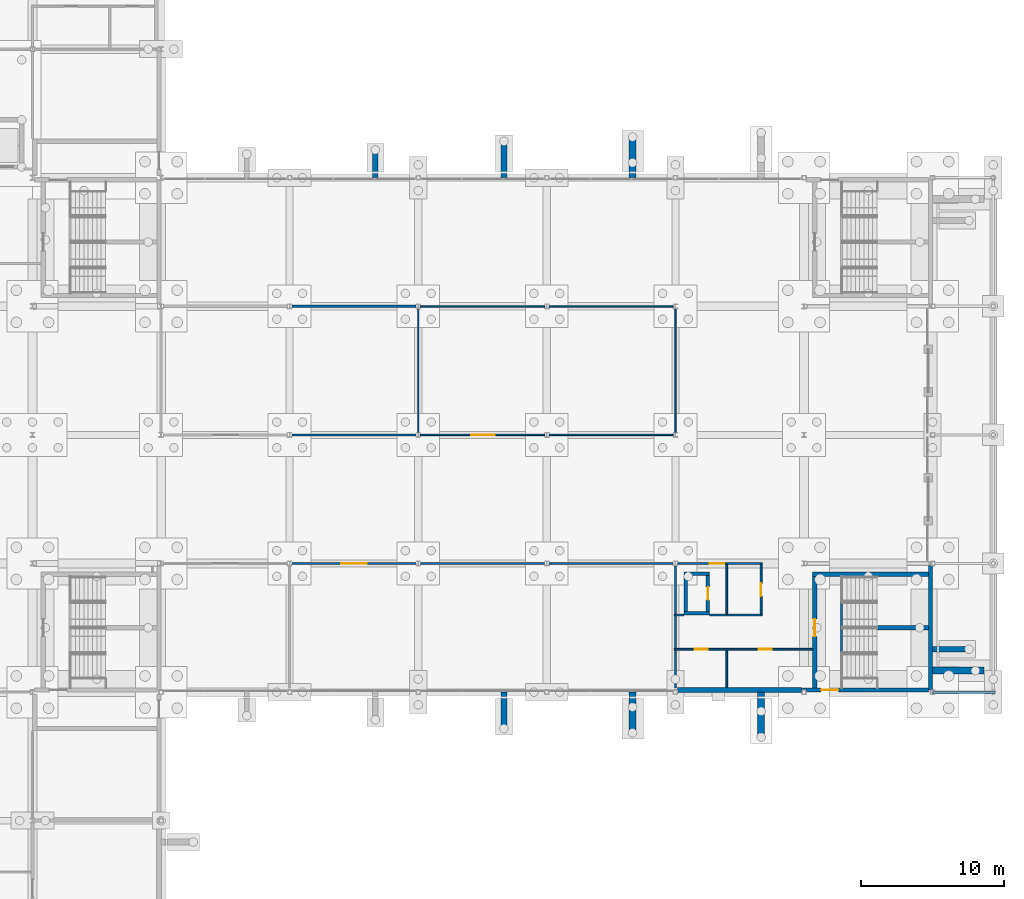
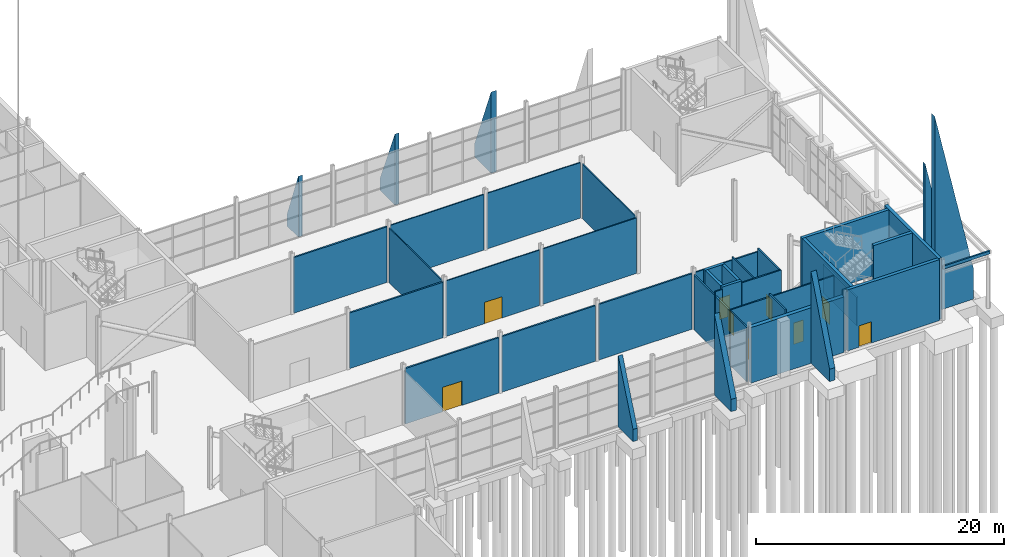
# One storey, part 112 of 139: 42 walls, 9 doors, 9 openings.
"""IFC4 building model written with IfcOpenShell, lengths in metres."""

from ifc_helpers import new_model, si_unit, direction, frame, frame_2d, origin, place, context, subcontext, project, spatial, polyline, rectangle, outline, extrude, material, layer, layer_set, type_object, element, fill, save


model = new_model("IFC4")

# Units and contexts
model_context = context("Model", 3, precision=1e-05, world=origin(), true_north=direction((0.0, 1.0)))
body_context = subcontext(model_context, "Body", "Model", "MODEL_VIEW")
ifc_project = project(units=[si_unit("LENGTHUNIT", "METRE"), si_unit("AREAUNIT", "SQUARE_METRE"), si_unit("VOLUMEUNIT", "CUBIC_METRE"), si_unit("PLANEANGLEUNIT", "RADIAN"), si_unit("MASSUNIT", "GRAM", prefix="KILO")], contexts=[model_context])

# Site, building, storey
site_placement = place(None, origin())
site = spatial("IfcSite", under=ifc_project, at=site_placement, CompositionType="ELEMENT")
building_placement = place(site_placement, origin())
building = spatial("IfcBuilding", under=site, at=building_placement, Name="Shorebreak Coast Museum", CompositionType="ELEMENT")
storey_placement = place(building_placement, origin())
storey = spatial("IfcBuildingStorey", under=building, at=storey_placement, Name="L00", CompositionType="ELEMENT", Elevation=0.0)

# Walls
ifc_material_1 = material(Name="Concrete N50 (50 MPa)", Category="concrete")
ifc_layer_1 = layer(ifc_material_1, 0.14990234375)
ifc_layer_set_1 = layer_set([ifc_layer_1], Name="Concrete N50 (50 MPa)")
wall_type_1 = type_object("IfcWallType", Name="Arcade roof upstand 150", PredefinedType="PARAPET", material=ifc_layer_set_1)
wall_1_placement = place(storey_placement, frame((171.0, 53.97509765625, 5.0), z_axis=(0.0, 0.0, 1.0), x_axis=(1.0, 0.0, 0.0)))
element("IfcWall", 1, at=wall_1_placement, inside=storey, type_object=wall_type_1, Name="Arcade roof upstand east 1 end 1", PredefinedType="PARAPET", context=body_context, shape_type="SweptSolid", body=[
    extrude(rectangle(XDim=4.35009765625, YDim=0.14990234375, at=frame_2d((2.175048828125, 0.0))), origin(), (0.0, 0.0, 1.0), 0.300048828125),
])
ifc_material_2 = material(Name="Concrete N50 (50 MPa)", Category="concrete")
ifc_layer_2 = layer(ifc_material_2, 0.14990234375)
ifc_layer_set_2 = layer_set([ifc_layer_2], Name="Concrete N50 (50 MPa)")
wall_type_2 = type_object("IfcWallType", Name="Column closure panel 150", PredefinedType="SOLIDWALL", material=ifc_layer_set_2)
wall_2_placement = place(storey_placement, frame((161.827880859375, 54.22509765625, 0.0), z_axis=(0.0, 0.0, 1.0), x_axis=(1.0, 0.0, 0.0)))
element("IfcWall", 2, at=wall_2_placement, inside=storey, type_object=wall_type_2, Name="Column closure panel L00 S 19G", PredefinedType="SOLIDWALL", context=body_context, shape_type="SweptSolid", body=[
    extrude(rectangle(XDim=0.322021484375, YDim=0.14990234375, at=frame_2d((0.1611328125, 0.0))), origin(), (0.0, 0.0, 1.0), 6.0),
])

# Wall, opening, door
ifc_material_3 = material(Name="Plasterboard on steel stud", Category="steel")
ifc_layer_3 = layer(ifc_material_3, 0.14990234375)
ifc_layer_set_3 = layer_set([ifc_layer_3], Name="Plasterboard on steel stud")
wall_type_3 = type_object("IfcWallType", Name="Fire partition 150", PredefinedType="PARTITIONING", material=ifc_layer_set_3)
wall_3_placement = place(storey_placement, frame((126.154541015625, 63.0, 0.0), z_axis=(0.0, 0.0, 1.0), x_axis=(1.0, 0.0, 0.0)))
wall_3 = element("IfcWall", 3, at=wall_3_placement, inside=storey, type_object=wall_type_3, Name="Partition L00-049", PredefinedType="PARTITIONING", context=body_context, shape_type="SweptSolid", body=[
    extrude(rectangle(XDim=8.69091796875, YDim=0.14990234375, at=frame_2d((4.345458984375, 0.0))), origin(), (0.0, 0.0, 1.0), 5.469482421875),
])
opening_1_placement = place(wall_3_placement, frame((3.449951171875, 0.0, 0.0)))
opening_1 = element("IfcOpeningElement", 4, at=opening_1_placement, cuts=wall_3, Name="Opening D0042", PredefinedType="OPENING", context=body_context, shape_type="SweptSolid", body=[
    extrude(rectangle(XDim=1.800048828125, YDim=2.39990234375, at=frame_2d((0.89990234375, 1.199951171875))), frame((0.0, 0.0849609375, 0.0), z_axis=(0.0, -1.0, 0.0), x_axis=(1.0, 0.0, 0.0)), (0.0, 0.0, 1.0), 0.169921875),
])
ifc_material_4 = material(Name="Steel", Category="steel")
door_type_1 = type_object("IfcDoorType", Name="Fire door 1800x2400 60", OperationType="DOUBLE_DOOR_SINGLE_SWING", PredefinedType="DOOR", material=ifc_material_4)
door_1_placement = place(opening_1_placement, origin())
door_1 = element("IfcDoor", 5, at=door_1_placement, inside=storey, type_object=door_type_1, Name="Door D0042 Sculpture Gallery", OperationType="DOUBLE_DOOR_SINGLE_SWING", OverallHeight=2.39990234375, OverallWidth=1.800048828125, PredefinedType="DOOR", context=body_context, shape_type="SweptSolid", body=[
    extrude(rectangle(XDim=1.800048828125, YDim=2.39990234375, at=frame_2d((0.89990234375, 1.199951171875))), frame((0.0, 0.02490234375, 0.0), z_axis=(0.0, -1.0, 0.0), x_axis=(1.0, 0.0, 0.0)), (0.0, 0.0, 1.0), 0.050048828125),
])
fill(opening_1, door_1)

# Walls
for number, where, z_axis, x_axis, name in (
    (6, (135.154541015625, 63.0, 0.0), (0.0, 0.0, 1.0), (1.0, 0.0, 0.0), "Partition L00-050"),
    (7, (144.154541015625, 63.0, 0.0), (0.0, 0.0, 1.0), (1.0, 0.0, 0.0), "Partition L00-051"),
    (8, (126.154541015625, 72.0, 0.0), (0.0, 0.0, 1.0), (1.0, 0.0, 0.0), "Partition L00-054"),
    (9, (126.154541015625, 81.0, 0.0), (0.0, 0.0, 1.0), (1.0, 0.0, 0.0), "Partition L00-060"),
):
    element("IfcWall", number, at=place(storey_placement, frame(where, z_axis=z_axis, x_axis=x_axis)), inside=storey, type_object=wall_type_3, Name=name, PredefinedType="PARTITIONING", context=body_context, shape_type="SweptSolid", body=[
        extrude(rectangle(XDim=8.69091796875, YDim=0.14990234375, at=frame_2d((4.345458984375, 0.0))), origin(), (0.0, 0.0, 1.0), 5.469482421875),
    ])
wall_4_placement = place(storey_placement, frame((153.0, 57.0625, 0.0), z_axis=(0.0, 0.0, 1.0), x_axis=(0.0, 1.0, 0.0)))
element("IfcWall", 10, at=wall_4_placement, inside=storey, type_object=wall_type_3, Name="Partition L00-169", PredefinedType="PARTITIONING", context=body_context, shape_type="SweptSolid", body=[
    extrude(rectangle(XDim=2.27490234375, YDim=0.14990234375, at=frame_2d((1.137451171875, 0.0))), origin(), (0.0, 0.0, 1.0), 5.364501953125),
])

# Wall, opening, door
ifc_material_5 = material(Name="Plasterboard on steel stud", Category="steel")
ifc_layer_4 = layer(ifc_material_5, 0.10009765625)
ifc_layer_set_4 = layer_set([ifc_layer_4], Name="Plasterboard on steel stud")
wall_type_4 = type_object("IfcWallType", Name="Partition 100", PredefinedType="PARTITIONING", material=ifc_layer_set_4)
wall_5_placement = place(storey_placement, frame((135.154541015625, 72.0, 0.0), z_axis=(0.0, 0.0, 1.0), x_axis=(1.0, 0.0, 0.0)))
wall_5 = element("IfcWall", 11, at=wall_5_placement, inside=storey, type_object=wall_type_4, Name="Partition L00-055", PredefinedType="PARTITIONING", context=body_context, shape_type="SweptSolid", body=[
    extrude(rectangle(XDim=8.69091796875, YDim=0.10009765625, at=frame_2d((4.345458984375, 0.0))), origin(), (0.0, 0.0, 1.0), 5.469482421875),
])
opening_2_placement = place(wall_5_placement, frame((3.550048828125, 0.0, 0.0)))
opening_2 = element("IfcOpeningElement", 12, at=opening_2_placement, cuts=wall_5, Name="Opening D0041", PredefinedType="OPENING", context=body_context, shape_type="SweptSolid", body=[
    extrude(rectangle(XDim=1.64990234375, YDim=2.10009765625, at=frame_2d((0.824951171875, 1.050048828125))), frame((0.0, 0.06005859375, 0.0), z_axis=(0.0, -1.0, 0.0), x_axis=(1.0, 0.0, 0.0)), (0.0, 0.0, 1.0), 0.1201171875),
])
ifc_material_6 = material(Name="Timber", Category="wood")
door_type_2 = type_object("IfcDoorType", Name="Interior door 1650x2100", OperationType="DOUBLE_DOOR_SINGLE_SWING", PredefinedType="DOOR", material=ifc_material_6)
door_2_placement = place(opening_2_placement, origin())
door_2 = element("IfcDoor", 13, at=door_2_placement, inside=storey, type_object=door_type_2, Name="Door D0041 Learning Studio 0.01", OperationType="DOUBLE_DOOR_SINGLE_SWING", OverallHeight=2.10009765625, OverallWidth=1.64990234375, PredefinedType="DOOR", context=body_context, shape_type="SweptSolid", body=[
    extrude(rectangle(XDim=1.64990234375, YDim=2.10009765625, at=frame_2d((0.824951171875, 1.050048828125))), frame((0.0, 0.02490234375, 0.0), z_axis=(0.0, -1.0, 0.0), x_axis=(1.0, 0.0, 0.0)), (0.0, 0.0, 1.0), 0.050048828125),
])
fill(opening_2, door_2)

# Walls
for number, where, z_axis, x_axis, name in (
    (14, (144.154541015625, 72.0, 0.0), (0.0, 0.0, 1.0), (1.0, 0.0, 0.0), "Partition L00-056"),
    (15, (135.154541015625, 81.0, 0.0), (0.0, 0.0, 1.0), (1.0, 0.0, 0.0), "Partition L00-061"),
    (16, (144.154541015625, 81.0, 0.0), (0.0, 0.0, 1.0), (1.0, 0.0, 0.0), "Partition L00-062"),
):
    element("IfcWall", number, at=place(storey_placement, frame(where, z_axis=z_axis, x_axis=x_axis)), inside=storey, type_object=wall_type_4, Name=name, PredefinedType="PARTITIONING", context=body_context, shape_type="SweptSolid", body=[
        extrude(rectangle(XDim=8.69091796875, YDim=0.10009765625, at=frame_2d((4.345458984375, 0.0))), origin(), (0.0, 0.0, 1.0), 5.469482421875),
    ])
for number, where, z_axis, x_axis, name in (
    (17, (135.0, 72.160400390625, 0.0), (0.0, 0.0, 1.0), (0.0, 1.0, 0.0), "Partition L00-167"),
    (18, (153.0, 72.160400390625, 0.0), (0.0, 0.0, 1.0), (0.0, 1.0, 0.0), "Partition L00-171"),
):
    element("IfcWall", number, at=place(storey_placement, frame(where, z_axis=z_axis, x_axis=x_axis)), inside=storey, type_object=wall_type_4, Name=name, PredefinedType="PARTITIONING", context=body_context, shape_type="SweptSolid", body=[
        extrude(rectangle(XDim=8.67919921875, YDim=0.10009765625, at=frame_2d((4.339599609375, 0.0))), origin(), (0.0, 0.0, 1.0), 5.364501953125),
    ])

# Wall, openings, doors
ifc_material_7 = material(Name="Plasterboard on steel stud", Category="steel")
ifc_layer_5 = layer(ifc_material_7, 0.125)
ifc_layer_set_5 = layer_set([ifc_layer_5], Name="Plasterboard on steel stud")
wall_type_5 = type_object("IfcWallType", Name="Partition 125", PredefinedType="PARTITIONING", material=ifc_layer_set_5)
wall_6_placement = place(storey_placement, frame((152.925048828125, 57.0, 0.0), z_axis=(0.0, 0.0, 1.0), x_axis=(1.0, 0.0, 0.0)))
wall_6 = element("IfcWall", 19, at=wall_6_placement, inside=storey, type_object=wall_type_5, Name="Partition L00-037", PredefinedType="PARTITIONING", context=body_context, shape_type="SweptSolid", body=[
    extrude(rectangle(XDim=9.675048828125, YDim=0.125, at=frame_2d((4.83740234375, 0.0))), origin(), (0.0, 0.0, 1.0), 5.469482421875),
])
opening_3_placement = place(wall_6_placement, frame((1.425048828125, 0.0, 0.0)))
opening_3 = element("IfcOpeningElement", 20, at=opening_3_placement, cuts=wall_6, Name="Opening D0038", PredefinedType="OPENING", context=body_context, shape_type="SweptSolid", body=[
    extrude(rectangle(XDim=0.89990234375, YDim=2.10009765625, at=frame_2d((0.449951171875, 1.050048828125))), frame((0.0, 0.072509765625, 0.0), z_axis=(0.0, -1.0, 0.0), x_axis=(1.0, 0.0, 0.0)), (0.0, 0.0, 1.0), 0.14501953125),
])
opening_4_placement = place(wall_6_placement, frame((5.925048828125, 0.0, 0.0)))
opening_4 = element("IfcOpeningElement", 21, at=opening_4_placement, cuts=wall_6, Name="Opening D0039", PredefinedType="OPENING", context=body_context, shape_type="SweptSolid", body=[
    extrude(rectangle(XDim=0.89990234375, YDim=2.10009765625, at=frame_2d((0.449951171875, 1.050048828125))), frame((0.0, 0.072509765625, 0.0), z_axis=(0.0, -1.0, 0.0), x_axis=(1.0, 0.0, 0.0)), (0.0, 0.0, 1.0), 0.14501953125),
])
ifc_material_8 = material(Name="Timber", Category="wood")
door_type_3 = type_object("IfcDoorType", Name="Interior door 900x2100", OperationType="SINGLE_SWING_LEFT", PredefinedType="DOOR", material=ifc_material_8)
door_3_placement = place(opening_3_placement, origin())
door_3 = element("IfcDoor", 22, at=door_3_placement, inside=storey, type_object=door_type_3, Name="Door D0038 Accessible WC E", OperationType="SINGLE_SWING_RIGHT", OverallHeight=2.10009765625, OverallWidth=0.89990234375, PredefinedType="DOOR", context=body_context, shape_type="SweptSolid", body=[
    extrude(rectangle(XDim=0.89990234375, YDim=2.10009765625, at=frame_2d((0.449951171875, 1.050048828125))), frame((0.0, 0.02490234375, 0.0), z_axis=(0.0, -1.0, 0.0), x_axis=(1.0, 0.0, 0.0)), (0.0, 0.0, 1.0), 0.050048828125),
])
fill(opening_3, door_3)
door_4_placement = place(opening_4_placement, origin())
door_4 = element("IfcDoor", 23, at=door_4_placement, inside=storey, type_object=door_type_3, Name="Door D0039 Male WC E", OperationType="SINGLE_SWING_LEFT", OverallHeight=2.10009765625, OverallWidth=0.89990234375, PredefinedType="DOOR", context=body_context, shape_type="SweptSolid", body=[
    extrude(rectangle(XDim=0.89990234375, YDim=2.10009765625, at=frame_2d((0.449951171875, 1.050048828125))), frame((0.0, 0.02490234375, 0.0), z_axis=(0.0, -1.0, 0.0), x_axis=(1.0, 0.0, 0.0)), (0.0, 0.0, 1.0), 0.050048828125),
])
fill(opening_4, door_4)

# Walls
wall_7_placement = place(storey_placement, frame((152.925048828125, 59.39990234375, 0.0), z_axis=(0.0, 0.0, 1.0), x_axis=(1.0, 0.0, 0.0)))
element("IfcWall", 24, at=wall_7_placement, inside=storey, type_object=wall_type_5, Name="Partition L00-040", PredefinedType="PARTITIONING", context=body_context, shape_type="SweptSolid", body=[
    extrude(rectangle(XDim=0.675048828125, YDim=0.125, at=frame_2d((0.33740234375, 0.0))), origin(), (0.0, 0.0, 1.0), 5.824951171875),
])
wall_8_placement = place(storey_placement, frame((155.39990234375, 59.39990234375, 0.0), z_axis=(0.0, 0.0, 1.0), x_axis=(1.0, 0.0, 0.0)))
element("IfcWall", 25, at=wall_8_placement, inside=storey, type_object=wall_type_5, Name="Partition L00-041", PredefinedType="PARTITIONING", context=body_context, shape_type="SweptSolid", body=[
    extrude(rectangle(XDim=3.66259765625, YDim=0.125, at=frame_2d((1.831298828125, 0.0))), origin(), (0.0, 0.0, 1.0), 5.824951171875),
])

# Wall, opening, door
wall_9_placement = place(storey_placement, frame((153.154541015625, 63.0, 0.0), z_axis=(0.0, 0.0, 1.0), x_axis=(1.0, 0.0, 0.0)))
wall_9 = element("IfcWall", 26, at=wall_9_placement, inside=storey, type_object=wall_type_5, Name="Partition L00-052", PredefinedType="PARTITIONING", context=body_context, shape_type="SweptSolid", body=[
    extrude(rectangle(XDim=5.907958984375, YDim=0.125, at=frame_2d((2.9541015625, 0.0))), origin(), (0.0, 0.0, 1.0), 5.469482421875),
])
opening_5_placement = place(wall_9_placement, frame((2.25, 0.0, 0.0)))
opening_5 = element("IfcOpeningElement", 27, at=opening_5_placement, cuts=wall_9, Name="Opening D0036", PredefinedType="OPENING", context=body_context, shape_type="SweptSolid", body=[
    extrude(rectangle(XDim=1.0, YDim=2.10009765625, at=frame_2d((0.5, 1.050048828125))), frame((0.0, 0.072509765625, 0.0), z_axis=(0.0, -1.0, 0.0), x_axis=(1.0, 0.0, 0.0)), (0.0, 0.0, 1.0), 0.14501953125),
])
ifc_material_9 = material(Name="Timber", Category="wood")
door_type_4 = type_object("IfcDoorType", Name="Interior door 1000x2100", OperationType="SINGLE_SWING_LEFT", PredefinedType="DOOR", material=ifc_material_9)
door_5_placement = place(opening_5_placement, origin())
door_5 = element("IfcDoor", 28, at=door_5_placement, inside=storey, type_object=door_type_4, Name="Door D0036 Cleaner Store E", OperationType="SINGLE_SWING_RIGHT", OverallHeight=2.10009765625, OverallWidth=1.0, PredefinedType="DOOR", context=body_context, shape_type="SweptSolid", body=[
    extrude(rectangle(XDim=1.0, YDim=2.10009765625, at=frame_2d((0.5, 1.050048828125))), frame((0.0, 0.02490234375, 0.0), z_axis=(0.0, -1.0, 0.0), x_axis=(1.0, 0.0, 0.0)), (0.0, 0.0, 1.0), 0.050048828125),
])
fill(opening_5, door_5)

# Walls
wall_10_placement = place(storey_placement, frame((153.0, 54.300048828125, 0.0), z_axis=(0.0, 0.0, 1.0), x_axis=(0.0, 1.0, 0.0)))
element("IfcWall", 29, at=wall_10_placement, inside=storey, type_object=wall_type_5, Name="Partition L00-168", PredefinedType="PARTITIONING", context=body_context, shape_type="SweptSolid", body=[
    extrude(rectangle(XDim=2.637451171875, YDim=0.125, at=frame_2d((1.31884765625, 0.0))), origin(), (0.0, 0.0, 1.0), 5.364501953125),
])
wall_11_placement = place(storey_placement, frame((153.0, 59.46240234375, 0.0), z_axis=(0.0, 0.0, 1.0), x_axis=(0.0, 1.0, 0.0)))
element("IfcWall", 30, at=wall_11_placement, inside=storey, type_object=wall_type_5, Name="Partition L00-170", PredefinedType="PARTITIONING", context=body_context, shape_type="SweptSolid", body=[
    extrude(rectangle(XDim=3.377197265625, YDim=0.125, at=frame_2d((1.6884765625, 0.0))), origin(), (0.0, 0.0, 1.0), 5.364501953125),
])
wall_12_placement = place(storey_placement, frame((156.60009765625, 54.324951171875, 0.0), z_axis=(0.0, 0.0, 1.0), x_axis=(0.0, 1.0, 0.0)))
element("IfcWall", 31, at=wall_12_placement, inside=storey, type_object=wall_type_5, Name="Partition L00-172", PredefinedType="PARTITIONING", context=body_context, shape_type="SweptSolid", body=[
    extrude(rectangle(XDim=2.612548828125, YDim=0.125, at=frame_2d((1.30615234375, 0.0))), origin(), (0.0, 0.0, 1.0), 5.824951171875),
])
wall_13_placement = place(storey_placement, frame((156.60009765625, 59.46240234375, 0.0), z_axis=(0.0, 0.0, 1.0), x_axis=(0.0, 1.0, 0.0)))
element("IfcWall", 32, at=wall_13_placement, inside=storey, type_object=wall_type_5, Name="Partition L00-173", PredefinedType="PARTITIONING", context=body_context, shape_type="SweptSolid", body=[
    extrude(rectangle(XDim=3.47509765625, YDim=0.125, at=frame_2d((1.737548828125, 0.0))), origin(), (0.0, 0.0, 1.0), 5.824951171875),
])

# Wall, opening, door
wall_14_placement = place(storey_placement, frame((159.0, 59.46240234375, 0.0), z_axis=(0.0, 0.0, 1.0), x_axis=(0.0, 1.0, 0.0)))
wall_14 = element("IfcWall", 33, at=wall_14_placement, inside=storey, type_object=wall_type_5, Name="Partition L00-174", PredefinedType="PARTITIONING", context=body_context, shape_type="SweptSolid", body=[
    extrude(rectangle(XDim=3.47509765625, YDim=0.125, at=frame_2d((1.737548828125, 0.0))), origin(), (0.0, 0.0, 1.0), 5.824951171875),
])
opening_6_placement = place(wall_14_placement, frame((1.25, 0.0, 0.0)))
opening_6 = element("IfcOpeningElement", 34, at=opening_6_placement, cuts=wall_14, Name="Opening D0037", PredefinedType="OPENING", context=body_context, shape_type="SweptSolid", body=[
    extrude(rectangle(XDim=0.89990234375, YDim=2.10009765625, at=frame_2d((0.449951171875, 1.050048828125))), frame((0.0, 0.072509765625, 0.0), z_axis=(0.0, -1.0, 0.0), x_axis=(1.0, 0.0, 0.0)), (0.0, 0.0, 1.0), 0.14501953125),
])
door_6_placement = place(opening_6_placement, origin())
door_6 = element("IfcDoor", 35, at=door_6_placement, inside=storey, type_object=door_type_3, Name="Door D0037 Female WC E", OperationType="SINGLE_SWING_RIGHT", OverallHeight=2.10009765625, OverallWidth=0.89990234375, PredefinedType="DOOR", context=body_context, shape_type="SweptSolid", body=[
    extrude(rectangle(XDim=0.89990234375, YDim=2.10009765625, at=frame_2d((0.449951171875, 1.050048828125))), frame((0.0, 0.02490234375, 0.0), z_axis=(0.0, -1.0, 0.0), x_axis=(1.0, 0.0, 0.0)), (0.0, 0.0, 1.0), 0.050048828125),
])
fill(opening_6, door_6)

# Walls
ifc_material_10 = material(Name="Concrete N50 (50 MPa)", Category="concrete")
ifc_layer_6 = layer(ifc_material_10, 0.35009765625)
ifc_layer_set_6 = layer_set([ifc_layer_6], Name="Concrete N50 (50 MPa)")
wall_type_6 = type_object("IfcWallType", Name="Precast plinth panel 350", PredefinedType="SOLIDWALL", material=ifc_layer_set_6)
wall_15_placement = place(storey_placement, frame((153.14990234375, 54.14990234375, 0.0), z_axis=(0.0, 0.0, 1.0), x_axis=(1.0, 0.0, 0.0)))
element("IfcWall", 36, at=wall_15_placement, inside=storey, type_object=wall_type_6, Name="External wall L00 S 18G", PredefinedType="SOLIDWALL", context=body_context, shape_type="SweptSolid", body=[
    extrude(rectangle(XDim=8.677978515625, YDim=0.35009765625, at=frame_2d((4.3388671875, 0.0))), origin(), (0.0, 0.0, 1.0), 5.469482421875),
])
ifc_material_11 = material(Name="Concrete N50 (50 MPa)", Category="concrete")
ifc_layer_7 = layer(ifc_material_11, 0.25)
ifc_layer_set_7 = layer_set([ifc_layer_7], Name="Concrete N50 (50 MPa)")
wall_type_7 = type_object("IfcWallType", Name="RC riser wall 250", PredefinedType="STANDARD", material=ifc_layer_set_7)
for number, where, z_axis, x_axis, name in (
    (37, (153.60009765625, 59.52490234375, 0.0), (0.0, 0.0, 1.0), (1.0, 0.0, 0.0), "Riser wall R-WC-E L00 S"),
    (38, (153.60009765625, 62.27490234375, 0.0), (0.0, 0.0, 1.0), (1.0, 0.0, 0.0), "Riser wall R-WC-E L00 N"),
):
    element("IfcWall", number, at=place(storey_placement, frame(where, z_axis=z_axis, x_axis=x_axis)), inside=storey, type_object=wall_type_7, Name=name, PredefinedType="STANDARD", context=body_context, shape_type="SweptSolid", body=[
        extrude(rectangle(XDim=1.7998046875, YDim=0.25, at=frame_2d((0.89990234375, 0.0))), origin(), (0.0, 0.0, 1.0), 6.0),
    ])
wall_16_placement = place(storey_placement, frame((153.72509765625, 59.64990234375, 0.0), z_axis=(0.0, 0.0, 1.0), x_axis=(0.0, 1.0, 0.0)))
element("IfcWall", 39, at=wall_16_placement, inside=storey, type_object=wall_type_7, Name="Riser wall R-WC-E L00 W", PredefinedType="STANDARD", context=body_context, shape_type="SweptSolid", body=[
    extrude(rectangle(XDim=2.5, YDim=0.25, at=frame_2d((1.25, 0.0))), origin(), (0.0, 0.0, 1.0), 6.0),
])

# Wall, opening, door
wall_17_placement = place(storey_placement, frame((155.27490234375, 59.64990234375, 0.0), z_axis=(0.0, 0.0, 1.0), x_axis=(0.0, 1.0, 0.0)))
wall_17 = element("IfcWall", 40, at=wall_17_placement, inside=storey, type_object=wall_type_7, Name="Riser wall R-WC-E L00 E", PredefinedType="STANDARD", context=body_context, shape_type="SweptSolid", body=[
    extrude(rectangle(XDim=2.5, YDim=0.25, at=frame_2d((1.25, 0.0))), origin(), (0.0, 0.0, 1.0), 6.0),
])
opening_7_placement = place(wall_17_placement, frame((0.800048828125, 0.0, 0.0)))
opening_7 = element("IfcOpeningElement", 41, at=opening_7_placement, cuts=wall_17, Name="Opening D0604", PredefinedType="OPENING", context=body_context, shape_type="SweptSolid", body=[
    extrude(rectangle(XDim=0.89990234375, YDim=2.10009765625, at=frame_2d((0.449951171875, 1.050048828125))), frame((0.0, 0.135009765625, 0.0), z_axis=(0.0, -1.0, 0.0), x_axis=(1.0, 0.0, 0.0)), (0.0, 0.0, 1.0), 0.27001953125),
])
ifc_material_12 = material(Name="Steel Grade 300", Category="steel")
door_type_5 = type_object("IfcDoorType", Name="Riser door 900x2100", OperationType="SINGLE_SWING_LEFT", PredefinedType="DOOR", material=ifc_material_12)
door_7_placement = place(opening_7_placement, origin())
door_7 = element("IfcDoor", 42, at=door_7_placement, inside=storey, type_object=door_type_5, Name="Riser door R-WC-E L00", OperationType="SINGLE_SWING_LEFT", OverallHeight=2.10009765625, OverallWidth=0.89990234375, PredefinedType="DOOR", context=body_context, shape_type="SweptSolid", body=[
    extrude(rectangle(XDim=0.89990234375, YDim=2.10009765625, at=frame_2d((0.449951171875, 1.050048828125))), frame((0.0, 0.02490234375, 0.0), z_axis=(0.0, -1.0, 0.0), x_axis=(1.0, 0.0, 0.0)), (0.0, 0.0, 1.0), 0.050048828125),
])
fill(opening_7, door_7)

ifc_material_13 = material(Name="Concrete N50 (50 MPa)", Category="concrete")
ifc_layer_8 = layer(ifc_material_13, 0.300048828125)
ifc_layer_set_8 = layer_set([ifc_layer_8], Name="Concrete N50 (50 MPa)")
wall_type_8 = type_object("IfcWallType", Name="RC wall 300", PredefinedType="SHEAR", material=ifc_layer_set_8)
wall_18_placement = place(storey_placement, frame((162.14990234375, 54.14990234375, 0.0), z_axis=(0.0, 0.0, 1.0), x_axis=(1.0, 0.0, 0.0)))
wall_18 = element("IfcWall", 43, at=wall_18_placement, inside=storey, type_object=wall_type_8, Name="Stair core wall ST07 L00 S", PredefinedType="SHEAR", context=body_context, shape_type="SweptSolid", body=[
    extrude(rectangle(XDim=8.550048828125, YDim=0.300048828125, at=frame_2d((4.27490234375, 0.0))), origin(), (0.0, 0.0, 1.0), 6.0),
])
opening_8_placement = place(wall_18_placement, frame((1.050048828125, 0.0, 0.0)))
opening_8 = element("IfcOpeningElement", 44, at=opening_8_placement, cuts=wall_18, Name="Opening D0707", PredefinedType="OPENING", context=body_context, shape_type="SweptSolid", body=[
    extrude(rectangle(XDim=1.199951171875, YDim=2.10009765625, at=frame_2d((0.60009765625, 1.050048828125))), frame((0.0, 0.159912109375, 0.0), z_axis=(0.0, -1.0, 0.0), x_axis=(1.0, 0.0, 0.0)), (0.0, 0.0, 1.0), 0.320068359375),
])
ifc_material_14 = material(Name="Steel Grade 300", Category="steel")
door_type_6 = type_object("IfcDoorType", Name="Exit door 1200x2100", OperationType="SINGLE_SWING_LEFT", PredefinedType="DOOR", material=ifc_material_14)
door_8_placement = place(opening_8_placement, frame((1.199951171875, 0.0, 0.0), z_axis=(0.0, 0.0, 1.0), x_axis=(-1.0, 0.0, 0.0)))
door_8 = element("IfcDoor", 45, at=door_8_placement, inside=storey, type_object=door_type_6, Name="Exit door ST07", OperationType="SINGLE_SWING_LEFT", OverallHeight=2.10009765625, OverallWidth=1.199951171875, PredefinedType="DOOR", context=body_context, shape_type="SweptSolid", body=[
    extrude(rectangle(XDim=1.199951171875, YDim=2.10009765625, at=frame_2d((0.60009765625, 1.050048828125))), frame((0.0, 0.02490234375, 0.0), z_axis=(0.0, -1.0, 0.0), x_axis=(1.0, 0.0, 0.0)), (0.0, 0.0, 1.0), 0.050048828125),
])
fill(opening_8, door_8)

# Wall
wall_19_placement = place(storey_placement, frame((162.60009765625, 62.25, 0.0), z_axis=(0.0, 0.0, 1.0), x_axis=(1.0, 0.0, 0.0)))
element("IfcWall", 46, at=wall_19_placement, inside=storey, type_object=wall_type_8, Name="Stair core wall ST07 L00 N", PredefinedType="SHEAR", context=body_context, shape_type="SweptSolid", body=[
    extrude(rectangle(XDim=8.099853515625, YDim=0.300048828125, at=frame_2d((4.0498046875, 0.0))), origin(), (0.0, 0.0, 1.0), 6.0),
])

# Wall, opening, door
wall_20_placement = place(storey_placement, frame((162.75, 54.300048828125, 0.0), z_axis=(0.0, 0.0, 1.0), x_axis=(0.0, 1.0, 0.0)))
wall_20 = element("IfcWall", 47, at=wall_20_placement, inside=storey, type_object=wall_type_8, Name="Stair core wall ST07 L00 W", PredefinedType="SHEAR", context=body_context, shape_type="SweptSolid", body=[
    extrude(rectangle(XDim=7.800048828125, YDim=0.300048828125, at=frame_2d((3.89990234375, 0.0))), origin(), (0.0, 0.0, 1.0), 6.0),
])
opening_9_placement = place(wall_20_placement, frame((3.60009765625, 0.0, 0.0)))
opening_9 = element("IfcOpeningElement", 48, at=opening_9_placement, cuts=wall_20, Name="Opening D0807", PredefinedType="OPENING", context=body_context, shape_type="SweptSolid", body=[
    extrude(rectangle(XDim=1.199951171875, YDim=2.10009765625, at=frame_2d((0.60009765625, 1.050048828125))), frame((0.0, 0.159912109375, 0.0), z_axis=(0.0, -1.0, 0.0), x_axis=(1.0, 0.0, 0.0)), (0.0, 0.0, 1.0), 0.320068359375),
])
ifc_material_15 = material(Name="Steel Grade 300", Category="steel")
door_type_7 = type_object("IfcDoorType", Name="Fire door 1200x2100", OperationType="SINGLE_SWING_LEFT", PredefinedType="DOOR", material=ifc_material_15)
door_9_placement = place(opening_9_placement, origin())
door_9 = element("IfcDoor", 49, at=door_9_placement, inside=storey, type_object=door_type_7, Name="Stair door ST07 L00", OperationType="SINGLE_SWING_RIGHT", OverallHeight=2.10009765625, OverallWidth=1.199951171875, PredefinedType="DOOR", context=body_context, shape_type="SweptSolid", body=[
    extrude(rectangle(XDim=1.199951171875, YDim=2.10009765625, at=frame_2d((0.60009765625, 1.050048828125))), frame((0.0, 0.02490234375, 0.0), z_axis=(0.0, -1.0, 0.0), x_axis=(1.0, 0.0, 0.0)), (0.0, 0.0, 1.0), 0.050048828125),
])
fill(opening_9, door_9)

# Walls
wall_21_placement = place(storey_placement, frame((170.85009765625, 54.14990234375, 0.0), z_axis=(0.0, 0.0, 1.0), x_axis=(0.0, 1.0, 0.0)))
element("IfcWall", 50, at=wall_21_placement, inside=storey, type_object=wall_type_8, Name="Stair core wall ST07 L00 E", PredefinedType="SHEAR", context=body_context, shape_type="SweptSolid", body=[
    extrude(rectangle(XDim=8.7001953125, YDim=0.300048828125, at=frame_2d((4.35009765625, 0.0))), origin(), (0.0, 0.0, 1.0), 6.0),
])
wall_22_placement = place(storey_placement, frame((167.10009765625, 58.5, 0.0), z_axis=(0.0, 0.0, 1.0), x_axis=(1.0, 0.0, 0.0)))
element("IfcWall", 51, at=wall_22_placement, inside=storey, type_object=wall_type_8, Name="Stair spine wall ST07 L00", PredefinedType="SHEAR", context=body_context, shape_type="SweptSolid", body=[
    extrude(rectangle(XDim=3.599853515625, YDim=0.300048828125, at=frame_2d((1.7998046875, 0.0))), origin(), (0.0, 0.0, 1.0), 6.0),
])
ifc_material_16 = material(Name="Concrete N50 (50 MPa)", Category="concrete")
ifc_layer_9 = layer(ifc_material_16, 0.39990234375)
ifc_layer_set_9 = layer_set([ifc_layer_9], Name="Concrete N50 (50 MPa)")
wall_type_9 = type_object("IfcWallType", Name="Raked fin 400", PredefinedType="SOLIDWALL", material=ifc_layer_set_9)
wall_23_placement = place(storey_placement, frame((171.0, 57.0, 0.0), z_axis=(0.0, 0.0, 1.0), x_axis=(1.0, 0.0, 0.0)))
element("IfcWall", 52, at=wall_23_placement, inside=storey, type_object=wall_type_9, Name="Raked fin E06", PredefinedType="SOLIDWALL", context=body_context, shape_type="SweptSolid", body=[
    extrude(outline(polyline([(0.0, 0.0), (2.39990234375, 0.0), (2.39990234375, 3.0), (0.0, 13.60009765625), (0.0, 0.0)])), frame((0.0, 0.199951171875, 0.0), z_axis=(0.0, -1.0, 0.0), x_axis=(1.0, 0.0, 0.0)), (0.0, 0.0, 1.0), 0.39990234375),
])
wall_24_placement = place(storey_placement, frame((141.0, 90.0, 0.0), z_axis=(0.0, 0.0, 1.0), x_axis=(0.0, 1.0, 0.0)))
element("IfcWall", 53, at=wall_24_placement, inside=storey, type_object=wall_type_9, Name="Raked fin EN21", PredefinedType="SOLIDWALL", context=body_context, shape_type="SweptSolid", body=[
    extrude(outline(polyline([(0.0, 0.0), (2.39990234375, 0.0), (2.39990234375, 1.199951171875), (0.0, 7.0), (0.0, 0.0)])), frame((0.0, 0.199951171875, 0.0), z_axis=(0.0, -1.0, 0.0), x_axis=(1.0, 0.0, 0.0)), (0.0, 0.0, 1.0), 0.39990234375),
])
wall_25_placement = place(storey_placement, frame((132.0, 90.0, 0.0), z_axis=(0.0, 0.0, 1.0), x_axis=(0.0, 1.0, 0.0)))
element("IfcWall", 54, at=wall_25_placement, inside=storey, type_object=wall_type_9, Name="Raked fin EN22", PredefinedType="SOLIDWALL", context=body_context, shape_type="SweptSolid", body=[
    extrude(outline(polyline([(0.0, 0.0), (1.800048828125, 0.0), (1.800048828125, 1.199951171875), (0.0, 6.0), (0.0, 0.0)])), frame((0.0, 0.199951171875, 0.0), z_axis=(0.0, -1.0, 0.0), x_axis=(1.0, 0.0, 0.0)), (0.0, 0.0, 1.0), 0.39990234375),
])
wall_26_placement = place(storey_placement, frame((141.0, 54.0, 0.0), z_axis=(0.0, 0.0, 1.0), x_axis=(0.0, -1.0, 0.0)))
element("IfcWall", 55, at=wall_26_placement, inside=storey, type_object=wall_type_9, Name="Raked fin ES26", PredefinedType="SOLIDWALL", context=body_context, shape_type="SweptSolid", body=[
    extrude(outline(polyline([(0.0, 0.0), (2.39990234375, 0.0), (2.39990234375, 1.199951171875), (0.0, 7.0), (0.0, 0.0)])), frame((0.0, 0.199951171875, 0.0), z_axis=(0.0, -1.0, 0.0), x_axis=(1.0, 0.0, 0.0)), (0.0, 0.0, 1.0), 0.39990234375),
])
ifc_material_17 = material(Name="Concrete N50 (50 MPa)", Category="concrete")
ifc_layer_10 = layer(ifc_material_17, 0.5)
ifc_layer_set_10 = layer_set([ifc_layer_10], Name="Concrete N50 (50 MPa)")
wall_type_10 = type_object("IfcWallType", Name="Raked fin 500", PredefinedType="SOLIDWALL", material=ifc_layer_set_10)
wall_27_placement = place(storey_placement, frame((171.0, 55.5, 0.0), z_axis=(0.0, 0.0, 1.0), x_axis=(1.0, 0.0, 0.0)))
element("IfcWall", 56, at=wall_27_placement, inside=storey, type_object=wall_type_10, Name="Raked fin E05", PredefinedType="SOLIDWALL", context=body_context, shape_type="SweptSolid", body=[
    extrude(outline(polyline([(0.0, 0.0), (3.60009765625, 0.0), (3.60009765625, 3.0), (0.0, 19.199951171875), (0.0, 0.0)])), frame((0.0, 0.25, 0.0), z_axis=(0.0, -1.0, 0.0), x_axis=(1.0, 0.0, 0.0)), (0.0, 0.0, 1.0), 0.5),
])
wall_28_placement = place(storey_placement, frame((150.0, 90.0, 0.0), z_axis=(0.0, 0.0, 1.0), x_axis=(0.0, 1.0, 0.0)))
element("IfcWall", 57, at=wall_28_placement, inside=storey, type_object=wall_type_10, Name="Raked fin EN20", PredefinedType="SOLIDWALL", context=body_context, shape_type="SweptSolid", body=[
    extrude(outline(polyline([(0.0, 0.0), (2.699951171875, 0.0), (2.699951171875, 1.199951171875), (0.0, 8.0), (0.0, 0.0)])), frame((0.0, 0.25, 0.0), z_axis=(0.0, -1.0, 0.0), x_axis=(1.0, 0.0, 0.0)), (0.0, 0.0, 1.0), 0.5),
])
wall_29_placement = place(storey_placement, frame((159.0, 54.0, 0.0), z_axis=(0.0, 0.0, 1.0), x_axis=(0.0, -1.0, 0.0)))
element("IfcWall", 58, at=wall_29_placement, inside=storey, type_object=wall_type_10, Name="Raked fin ES24", PredefinedType="SOLIDWALL", context=body_context, shape_type="SweptSolid", body=[
    extrude(outline(polyline([(0.0, 0.0), (3.0, 0.0), (3.0, 1.199951171875), (0.0, 9.0), (0.0, 0.0)])), frame((0.0, 0.25, 0.0), z_axis=(0.0, -1.0, 0.0), x_axis=(1.0, 0.0, 0.0)), (0.0, 0.0, 1.0), 0.5),
])
wall_30_placement = place(storey_placement, frame((150.0, 54.0, 0.0), z_axis=(0.0, 0.0, 1.0), x_axis=(0.0, -1.0, 0.0)))
element("IfcWall", 59, at=wall_30_placement, inside=storey, type_object=wall_type_10, Name="Raked fin ES25", PredefinedType="SOLIDWALL", context=body_context, shape_type="SweptSolid", body=[
    extrude(outline(polyline([(0.0, 0.0), (2.699951171875, 0.0), (2.699951171875, 1.199951171875), (0.0, 8.0), (0.0, 0.0)])), frame((0.0, 0.25, 0.0), z_axis=(0.0, -1.0, 0.0), x_axis=(1.0, 0.0, 0.0)), (0.0, 0.0, 1.0), 0.5),
])
ifc_material_18 = material(Name="Concrete N50 (50 MPa)", Category="concrete")
ifc_layer_11 = layer(ifc_material_18, 0.14990234375)
ifc_layer_set_11 = layer_set([ifc_layer_11], Name="Concrete N50 (50 MPa)")
wall_type_11 = type_object("IfcWallType", Name="Understair wall 150", PredefinedType="STANDARD", material=ifc_layer_set_11)
wall_31_placement = place(storey_placement, frame((164.625, 56.699951171875, 0.0), z_axis=(0.0, 0.0, 1.0), x_axis=(0.0, 1.0, 0.0)))
element("IfcWall", 60, at=wall_31_placement, inside=storey, type_object=wall_type_11, Name="Understair wall ST07 L00 floor", PredefinedType="STANDARD", context=body_context, shape_type="SweptSolid", body=[
    extrude(rectangle(XDim=5.400146484375, YDim=0.14990234375, at=frame_2d((2.7001953125, 0.0))), origin(), (0.0, 0.0, 1.0), 2.800048828125),
])

save(model, "model.ifc")
